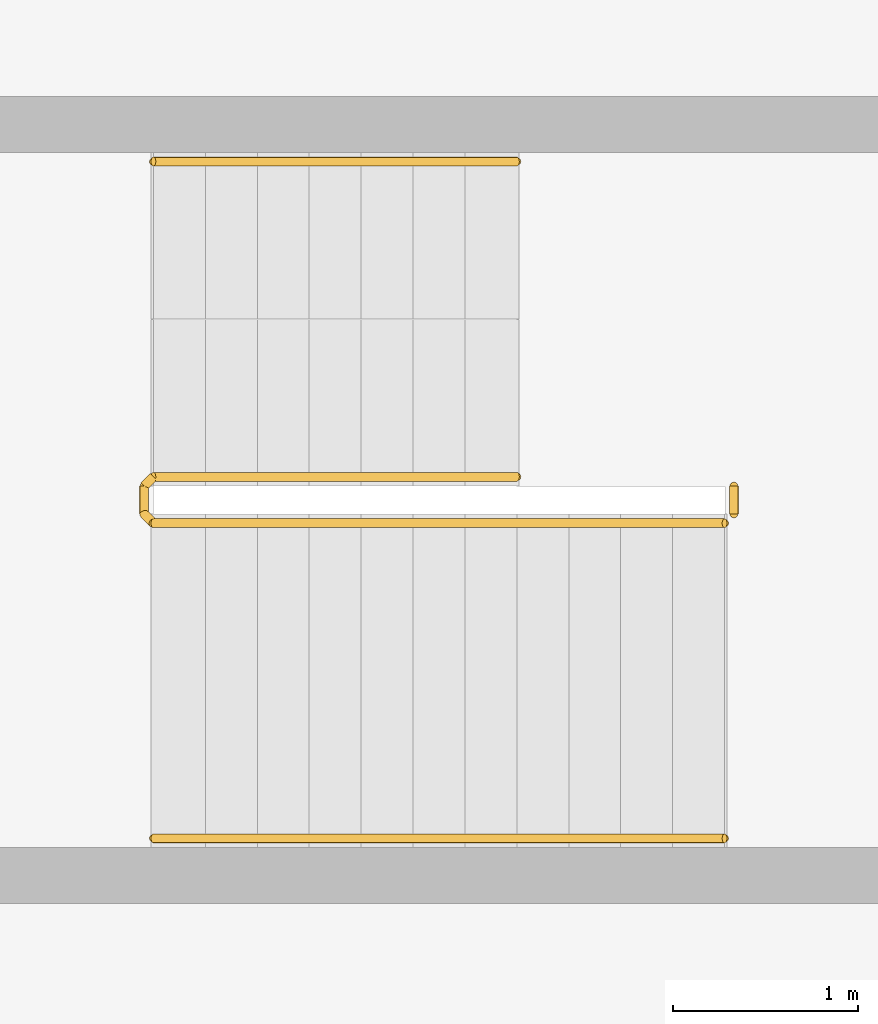
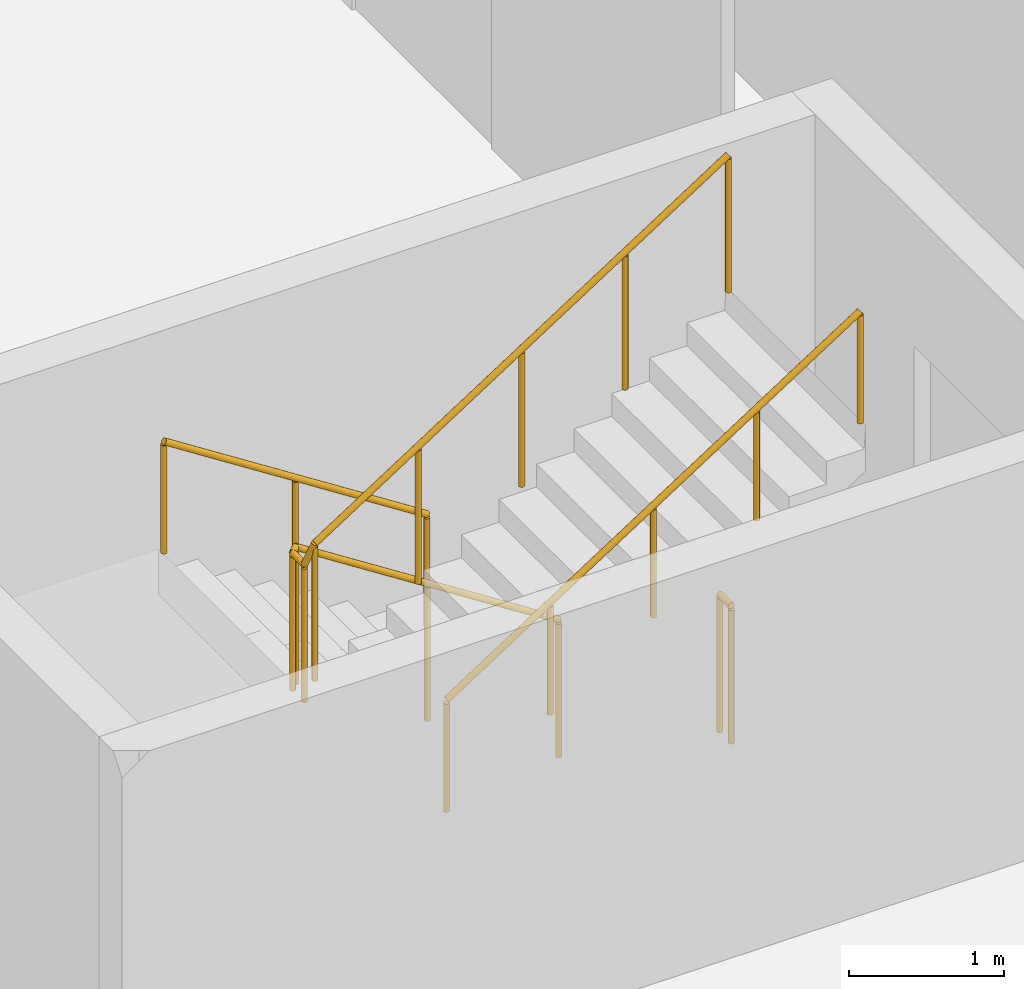
# One storey, part 22 of 25: 4 railings.
"""IFC4 building model written with IfcOpenShell, lengths in metres."""

from ifc_helpers import new_model, si_unit, direction, frame, origin, origin_2d, place, context, subcontext, project, spatial, circle, extrude, material, type_object, element, save


model = new_model("IFC4")

# Units and contexts
model_context = context("Model", 3, precision=1e-05, world=origin(), true_north=direction((0.0, 1.0)))
body_context = subcontext(model_context, "Body", "Model", "MODEL_VIEW")
ifc_project = project(units=[si_unit("LENGTHUNIT", "METRE"), si_unit("AREAUNIT", "SQUARE_METRE"), si_unit("VOLUMEUNIT", "CUBIC_METRE"), si_unit("PLANEANGLEUNIT", "RADIAN"), si_unit("MASSUNIT", "GRAM", prefix="KILO")], contexts=[model_context])

# Site, building, storey
site_placement = place(None, origin())
site = spatial("IfcSite", under=ifc_project, at=site_placement, CompositionType="ELEMENT")
building_placement = place(site_placement, origin())
building = spatial("IfcBuilding", under=site, at=building_placement, Name="Wharfspan Tower", CompositionType="ELEMENT")
storey_placement = place(building_placement, frame((0.0, 0.0, 143.5)))
storey = spatial("IfcBuildingStorey", under=building, at=storey_placement, Name="L34", CompositionType="ELEMENT", Elevation=143.5)

# Railings
ifc_material = material(Name="Steel S355J2", Category="steel")
railing_type_1 = type_object("IfcRailingType", Name="Stair guard 1100", PredefinedType="GUARDRAIL", material=ifc_material)
railing_1_placement = place(storey_placement, frame((12.780029, 22.824951, 0.179932)))
element("IfcRailing", 1, at=railing_1_placement, inside=storey, type_object=railing_type_1, Name="L34 ST3 stair guard 1", PredefinedType="GUARDRAIL", context=body_context, shape_type="SweptSolid", body=[
    extrude(circle(Radius=0.023926, at=origin_2d()), frame((0.0, 0.0, 1.076172), z_axis=(-0.841172, 0.0, 0.540768), x_axis=(0.0, -1.0, 0.0)), (0.0, 0.0, 1.0), 2.330078),
    extrude(circle(Radius=0.023926, at=origin_2d()), frame((-1.959961, 0.0, 2.335938), z_axis=(-0.707107, -0.707107, 0.0), x_axis=(0.707107, -0.707107, 0.0)), (0.0, 0.0, 1.0), 0.070801),
    extrude(circle(Radius=0.023926, at=origin_2d()), frame((-2.01001, -0.050049, 2.335938), z_axis=(0.0, -1.0, 0.0), x_axis=(1.0, 0.0, 0.0)), (0.0, 0.0, 1.0), 0.149902),
    extrude(circle(Radius=0.023926, at=origin_2d()), frame((-2.01001, -0.199951, 2.335938), z_axis=(0.258544, -0.258544, 0.930758), x_axis=(0.707107, 0.707107, 0.0)), (0.0, 0.0, 1.0), 0.193604),
    extrude(circle(Radius=0.023926, at=origin_2d()), frame((-1.959961, -0.25, 2.516113), z_axis=(0.841168, 0.0, 0.540774), x_axis=(0.0, 1.0, 0.0)), (0.0, 0.0, 1.0), 3.661377),
    extrude(circle(Radius=0.020996, at=origin_2d()), origin(), (0.0, 0.0, 1.0), 1.052002),
    extrude(circle(Radius=0.020996, at=origin_2d()), frame((-0.97998, 0.0, 0.629883)), (0.0, 0.0, 1.0), 1.052002),
    extrude(circle(Radius=0.020996, at=origin_2d()), frame((-1.959961, 0.0, 1.26001)), (0.0, 0.0, 1.0), 1.052002),
    extrude(circle(Radius=0.020996, at=origin_2d()), frame((-2.01001, -0.050049, 1.26001)), (0.0, 0.0, 1.0), 1.052002),
    extrude(circle(Radius=0.020996, at=origin_2d()), frame((-2.01001, -0.199951, 1.26001)), (0.0, 0.0, 1.0), 1.052002),
    extrude(circle(Radius=0.020996, at=origin_2d()), frame((-1.959961, -0.25, 1.440186)), (0.0, 0.0, 1.0), 1.052002),
    extrude(circle(Radius=0.020996, at=origin_2d()), frame((-1.189941, -0.25, 1.935059)), (0.0, 0.0, 1.0), 1.052002),
    extrude(circle(Radius=0.020996, at=origin_2d()), frame((-0.419922, -0.25, 2.430176)), (0.0, 0.0, 1.0), 1.052002),
    extrude(circle(Radius=0.020996, at=origin_2d()), frame((0.349854, -0.25, 2.925293)), (0.0, 0.0, 1.0), 1.052002),
    extrude(circle(Radius=0.020996, at=origin_2d()), frame((1.119873, -0.25, 3.420166)), (0.0, 0.0, 1.0), 1.052002),
])
railing_2_placement = place(storey_placement, frame((13.949951, 22.774902, 0.0)))
element("IfcRailing", 2, at=railing_2_placement, inside=storey, type_object=railing_type_1, Name="L34 ST3 stair guard 2", PredefinedType="GUARDRAIL", context=body_context, shape_type="SweptSolid", body=[
    extrude(circle(Radius=0.023926, at=origin_2d()), frame((0.0, 0.0, 1.076172), z_axis=(0.0, -1.0, 0.0), x_axis=(1.0, 0.0, 0.0)), (0.0, 0.0, 1.0), 0.149902),
    extrude(circle(Radius=0.020996, at=origin_2d()), origin(), (0.0, 0.0, 1.0), 1.052002),
    extrude(circle(Radius=0.020996, at=origin_2d()), frame((0.0, -0.149902, 0.0)), (0.0, 0.0, 1.0), 1.052002),
])
railing_type_2 = type_object("IfcRailingType", Name="Stair handrail 900", PredefinedType="HANDRAIL", material=ifc_material)
railing_3_placement = place(storey_placement, frame((12.780029, 24.524902, 0.179932)))
element("IfcRailing", 3, at=railing_3_placement, inside=storey, type_object=railing_type_2, Name="L34 ST3 stair handrail 1", PredefinedType="HANDRAIL", context=body_context, shape_type="SweptSolid", body=[
    extrude(circle(Radius=0.023926, at=origin_2d()), frame((0.0, 0.0, 0.875977), z_axis=(-0.841172, 0.0, 0.540768), x_axis=(0.0, -1.0, 0.0)), (0.0, 0.0, 1.0), 2.330078),
    extrude(circle(Radius=0.020996, at=origin_2d()), origin(), (0.0, 0.0, 1.0), 0.851807),
    extrude(circle(Radius=0.020996, at=origin_2d()), frame((-0.97998, 0.0, 0.629883)), (0.0, 0.0, 1.0), 0.851807),
    extrude(circle(Radius=0.020996, at=origin_2d()), frame((-1.959961, 0.0, 1.26001)), (0.0, 0.0, 1.0), 0.851807),
])
railing_4_placement = place(storey_placement, frame((10.820068, 20.875, 1.620117)))
element("IfcRailing", 4, at=railing_4_placement, inside=storey, type_object=railing_type_2, Name="L34 ST3 stair handrail 2", PredefinedType="HANDRAIL", context=body_context, shape_type="SweptSolid", body=[
    extrude(circle(Radius=0.023926, at=origin_2d()), frame((0.0, 0.0, 0.875977), z_axis=(0.841168, 0.0, 0.540774), x_axis=(0.0, 1.0, 0.0)), (0.0, 0.0, 1.0), 3.661377),
    extrude(circle(Radius=0.020996, at=origin_2d()), origin(), (0.0, 0.0, 1.0), 0.851807),
    extrude(circle(Radius=0.020996, at=origin_2d()), frame((0.77002, 0.0, 0.495117)), (0.0, 0.0, 1.0), 0.851807),
    extrude(circle(Radius=0.020996, at=origin_2d()), frame((1.540039, 0.0, 0.98999)), (0.0, 0.0, 1.0), 0.851807),
    extrude(circle(Radius=0.020996, at=origin_2d()), frame((2.309814, 0.0, 1.484863)), (0.0, 0.0, 1.0), 0.851807),
    extrude(circle(Radius=0.020996, at=origin_2d()), frame((3.079834, 0.0, 1.97998)), (0.0, 0.0, 1.0), 0.851807),
])

save(model, "model.ifc")
